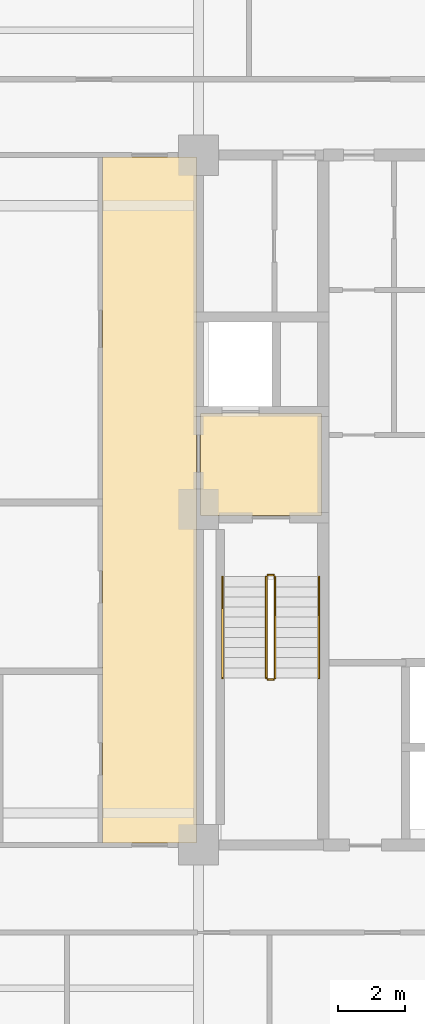
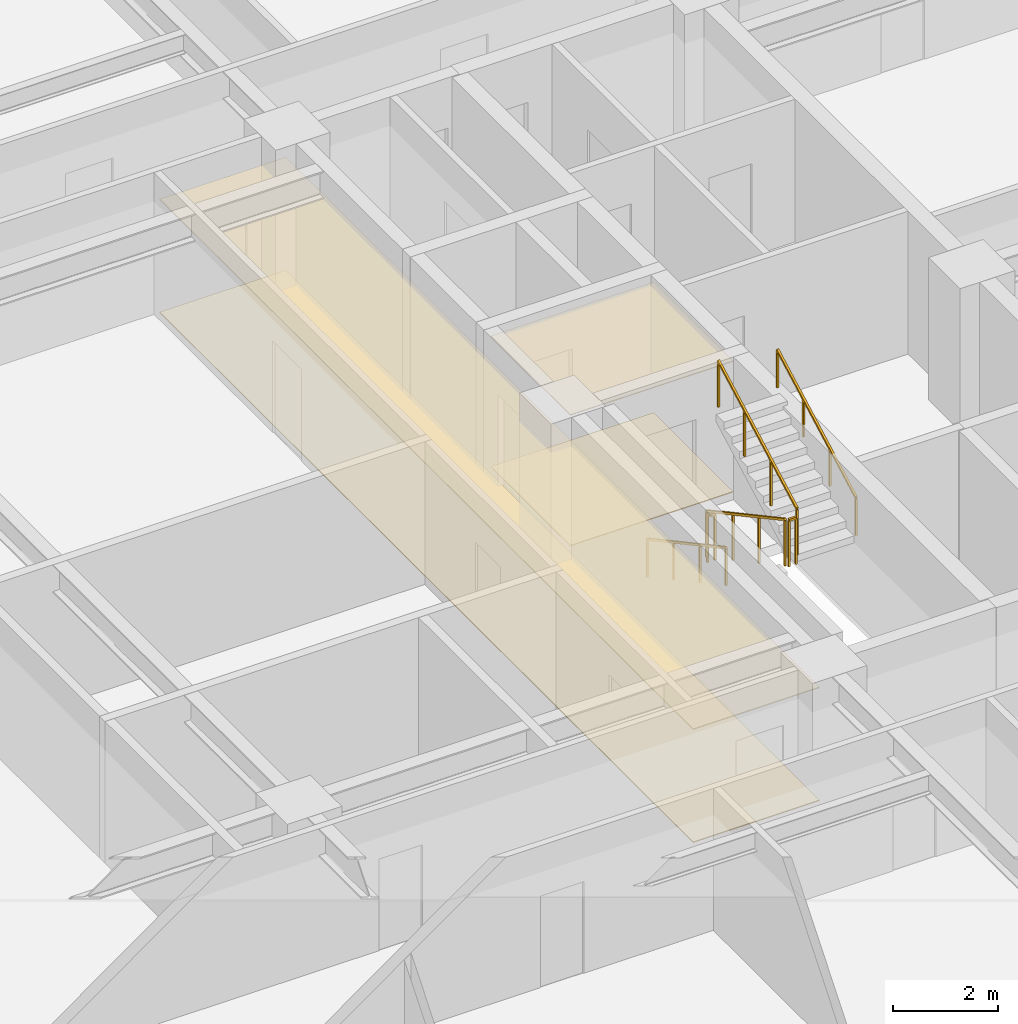
# One storey, part 13 of 15: 6 railings, 4 coverings.
"""IFC4 building model written with IfcOpenShell, lengths in metres."""

from ifc_helpers import new_model, si_unit, direction, frame, origin, origin_2d, place, context, subcontext, project, spatial, polyline, rectangle, outline, extrude, material, layer, layer_set, type_object, element, save


model = new_model("IFC4")

# Units and contexts
model_context = context("Model", 3, precision=1e-05, world=origin(), true_north=direction((0.0, 1.0)))
body_context = subcontext(model_context, "Body", "Model", "MODEL_VIEW")
ifc_project = project(units=[si_unit("LENGTHUNIT", "METRE"), si_unit("AREAUNIT", "SQUARE_METRE"), si_unit("VOLUMEUNIT", "CUBIC_METRE"), si_unit("PLANEANGLEUNIT", "RADIAN"), si_unit("MASSUNIT", "GRAM", prefix="KILO")], contexts=[model_context])

# Site, building, storey
site_placement = place(None, origin())
site = spatial("IfcSite", under=ifc_project, at=site_placement, CompositionType="ELEMENT")
building_placement = place(site_placement, origin())
building = spatial("IfcBuilding", under=site, at=building_placement, Name="Zulmaris Gate Convention Tower", CompositionType="ELEMENT")
storey_placement = place(building_placement, frame((0.0, 0.0, 37.909912109375)))
storey = spatial("IfcBuildingStorey", under=building, at=storey_placement, Name="L08", CompositionType="ELEMENT", Elevation=37.909912109375)

# Coverings
ifc_material_1 = material(Name="Mineral Fibre Acoustic Ceiling Tile")
ifc_layer_1 = layer(ifc_material_1, 0.02001953125, Name="Mineral Fibre Acoustic Ceiling Tile")
ifc_layer_set_1 = layer_set([ifc_layer_1], Name="Mineral Fibre Acoustic Ceiling Tile")
covering_type_1 = type_object("IfcCoveringType", Name="CLG-ACOUSTIC-600", PredefinedType="CEILING", material=ifc_layer_set_1)
covering_1_placement = place(storey_placement, frame((0.0, 0.0, 3.0400390625)))
element("IfcCovering", 1, at=covering_1_placement, inside=storey, type_object=covering_type_1, Name="CLG-L08-R08", PredefinedType="CEILING", context=body_context, shape_type="SweptSolid", body=[
    extrude(outline(polyline([(11.06005859375, -0.18994140625), (14.639892578125, -0.18994140625), (14.639892578125, 2.840087890625), (11.06005859375, 2.840087890625), (11.06005859375, -0.18994140625)])), origin(), (0.0, 0.0, 1.0), 0.02001953125),
])
covering_2_placement = place(storey_placement, frame((0.0, 0.0, 2.628173828125)))
element("IfcCovering", 2, at=covering_2_placement, inside=storey, type_object=covering_type_1, Name="CLG-L08-R34", PredefinedType="CEILING", context=body_context, shape_type="SweptSolid", body=[
    extrude(outline(polyline([(8.159912109375, -9.889892578125), (10.93994140625, -9.889892578125), (10.93994140625, 10.43994140625), (8.159912109375, 10.43994140625), (8.159912109375, -9.889892578125)])), origin(), (0.0, 0.0, 1.0), 0.02001953125),
])
ifc_material_2 = material(Name="Woven Acoustic Wool Carpet Tile")
ifc_layer_2 = layer(ifc_material_2, 0.02001953125, Name="Woven Acoustic Wool Carpet Tile")
ifc_layer_set_2 = layer_set([ifc_layer_2], Name="Woven Acoustic Wool Carpet Tile")
covering_type_2 = type_object("IfcCoveringType", Name="FLR-CARPET-12", PredefinedType="FLOORING", material=ifc_layer_set_2)
covering_3_placement = place(storey_placement, origin())
element("IfcCovering", 3, at=covering_3_placement, inside=storey, type_object=covering_type_2, Name="FLR-L08-R08", PredefinedType="FLOORING", context=body_context, shape_type="SweptSolid", body=[
    extrude(outline(polyline([(11.06005859375, -0.18994140625), (14.639892578125, -0.18994140625), (14.639892578125, 2.840087890625), (11.06005859375, 2.840087890625), (11.06005859375, -0.18994140625)])), origin(), (0.0, 0.0, 1.0), 0.02001953125),
])
covering_4_placement = place(storey_placement, origin())
element("IfcCovering", 4, at=covering_4_placement, inside=storey, type_object=covering_type_2, Name="FLR-L08-R34", PredefinedType="FLOORING", context=body_context, shape_type="SweptSolid", body=[
    extrude(outline(polyline([(8.159912109375, -9.889892578125), (10.93994140625, -9.889892578125), (10.93994140625, 10.43994140625), (8.159912109375, 10.43994140625), (8.159912109375, -9.889892578125)])), origin(), (0.0, 0.0, 1.0), 0.02001953125),
])

# Railings
ifc_material_3 = material(Name="Painted Galvanised Steel", Category="steel")
railing_type_1 = type_object("IfcRailingType", Name="RL-STG-1150", PredefinedType="GUARDRAIL", material=ifc_material_3)
railing_1_placement = place(storey_placement, frame((13.010009765625, -2.0, 0.162353515625)))
element("IfcRailing", 5, at=railing_1_placement, inside=storey, type_object=railing_type_1, Name="L08 ST-2 stair guard 1", PredefinedType="GUARDRAIL", context=body_context, shape_type="SweptSolid", body=[
    extrude(rectangle(XDim=0.048095703125, YDim=0.048095703125, at=origin_2d()), frame((0.0, 0.0, 1.076171875), z_axis=(0.0, -0.8795616155, 0.475784998228), x_axis=(1.0, 0.0, 0.0)), (0.0, 0.0, 1.0), 3.410888671875),
    extrude(rectangle(XDim=0.0419921875, YDim=0.0419921875, at=origin_2d()), origin(), (0.0, 0.0, 1.0), 1.052001953125),
    extrude(rectangle(XDim=0.0419921875, YDim=0.0419921875, at=origin_2d()), frame((0.0, -1.0, 0.541015625)), (0.0, 0.0, 1.0), 1.052001953125),
    extrude(rectangle(XDim=0.0419921875, YDim=0.0419921875, at=origin_2d()), frame((0.0, -2.0, 1.081787109375)), (0.0, 0.0, 1.0), 1.052001953125),
    extrude(rectangle(XDim=0.0419921875, YDim=0.0419921875, at=origin_2d()), frame((0.0, -3.0, 1.622802734375)), (0.0, 0.0, 1.0), 1.052001953125),
])
railing_2_placement = place(storey_placement, frame((13.06005859375, -5.050048828125, 1.78515625)))
element("IfcRailing", 6, at=railing_2_placement, inside=storey, type_object=railing_type_1, Name="L08 ST-2 stair guard 2", PredefinedType="GUARDRAIL", context=body_context, shape_type="SweptSolid", body=[
    extrude(rectangle(XDim=0.048095703125, YDim=0.048095703125, at=origin_2d()), frame((0.0, 0.0, 1.076171875), z_axis=(1.0, 0.0, 0.0), x_axis=(0.0, 1.0, 0.0)), (0.0, 0.0, 1.0), 0.159912109375),
    extrude(rectangle(XDim=0.0419921875, YDim=0.0419921875, at=origin_2d()), origin(), (0.0, 0.0, 1.0), 1.052001953125),
    extrude(rectangle(XDim=0.0419921875, YDim=0.0419921875, at=origin_2d()), frame((0.159912109375, 0.0, 0.0)), (0.0, 0.0, 1.0), 1.052001953125),
])
railing_3_placement = place(storey_placement, frame((13.27001953125, -5.0, 1.947265625)))
element("IfcRailing", 7, at=railing_3_placement, inside=storey, type_object=railing_type_1, Name="L08 ST-2 stair guard 3", PredefinedType="GUARDRAIL", context=body_context, shape_type="SweptSolid", body=[
    extrude(rectangle(XDim=0.048095703125, YDim=0.048095703125, at=origin_2d()), frame((0.0, 0.0, 1.076171875), z_axis=(0.0, 0.8795616155, 0.475784998228), x_axis=(-1.0, 0.0, 0.0)), (0.0, 0.0, 1.0), 3.410888671875),
    extrude(rectangle(XDim=0.0419921875, YDim=0.0419921875, at=origin_2d()), origin(), (0.0, 0.0, 1.0), 1.052001953125),
    extrude(rectangle(XDim=0.0419921875, YDim=0.0419921875, at=origin_2d()), frame((0.0, 1.0, 0.541015625)), (0.0, 0.0, 1.0), 1.052001953125),
    extrude(rectangle(XDim=0.0419921875, YDim=0.0419921875, at=origin_2d()), frame((0.0, 2.0, 1.081787109375)), (0.0, 0.0, 1.0), 1.052001953125),
    extrude(rectangle(XDim=0.0419921875, YDim=0.0419921875, at=origin_2d()), frame((0.0, 3.0, 1.622802734375)), (0.0, 0.0, 1.0), 1.052001953125),
])
railing_4_placement = place(storey_placement, frame((13.06005859375, -1.949951171875, 0.0)))
element("IfcRailing", 8, at=railing_4_placement, inside=storey, type_object=railing_type_1, Name="L08 ST-2 stair guard 4", PredefinedType="GUARDRAIL", context=body_context, shape_type="SweptSolid", body=[
    extrude(rectangle(XDim=0.048095703125, YDim=0.048095703125, at=origin_2d()), frame((0.0, 0.0, 1.076171875), z_axis=(1.0, 0.0, 0.0), x_axis=(0.0, 1.0, 0.0)), (0.0, 0.0, 1.0), 0.159912109375),
    extrude(rectangle(XDim=0.0419921875, YDim=0.0419921875, at=origin_2d()), origin(), (0.0, 0.0, 1.0), 1.052001953125),
    extrude(rectangle(XDim=0.0419921875, YDim=0.0419921875, at=origin_2d()), frame((0.159912109375, 0.0, 0.0)), (0.0, 0.0, 1.0), 1.052001953125),
])
ifc_material_4 = material(Name="Brushed Stainless Steel", Category="steel")
railing_type_2 = type_object("IfcRailingType", Name="RL-STH-900", PredefinedType="HANDRAIL", material=ifc_material_4)
railing_5_placement = place(storey_placement, frame((11.7099609375, -2.0, 0.162353515625)))
element("IfcRailing", 9, at=railing_5_placement, inside=storey, type_object=railing_type_2, Name="L08 ST-2 stair handrail 1", PredefinedType="HANDRAIL", context=body_context, shape_type="SweptSolid", body=[
    extrude(rectangle(XDim=0.048095703125, YDim=0.048095703125, at=origin_2d()), frame((0.0, 0.0, 0.8759765625), z_axis=(0.0, -0.8795616155, 0.475784998228), x_axis=(1.0, 0.0, 0.0)), (0.0, 0.0, 1.0), 3.410888671875),
    extrude(rectangle(XDim=0.0419921875, YDim=0.0419921875, at=origin_2d()), origin(), (0.0, 0.0, 1.0), 0.851806640625),
    extrude(rectangle(XDim=0.0419921875, YDim=0.0419921875, at=origin_2d()), frame((0.0, -1.0, 0.541015625)), (0.0, 0.0, 1.0), 0.851806640625),
    extrude(rectangle(XDim=0.0419921875, YDim=0.0419921875, at=origin_2d()), frame((0.0, -2.0, 1.081787109375)), (0.0, 0.0, 1.0), 0.851806640625),
    extrude(rectangle(XDim=0.0419921875, YDim=0.0419921875, at=origin_2d()), frame((0.0, -3.0, 1.622802734375)), (0.0, 0.0, 1.0), 0.851806640625),
])
railing_6_placement = place(storey_placement, frame((14.570068359375, -5.0, 1.947265625)))
element("IfcRailing", 10, at=railing_6_placement, inside=storey, type_object=railing_type_2, Name="L08 ST-2 stair handrail 2", PredefinedType="HANDRAIL", context=body_context, shape_type="SweptSolid", body=[
    extrude(rectangle(XDim=0.048095703125, YDim=0.048095703125, at=origin_2d()), frame((0.0, 0.0, 0.8759765625), z_axis=(0.0, 0.8795616155, 0.475784998228), x_axis=(-1.0, 0.0, 0.0)), (0.0, 0.0, 1.0), 3.410888671875),
    extrude(rectangle(XDim=0.0419921875, YDim=0.0419921875, at=origin_2d()), origin(), (0.0, 0.0, 1.0), 0.851806640625),
    extrude(rectangle(XDim=0.0419921875, YDim=0.0419921875, at=origin_2d()), frame((0.0, 1.0, 0.541015625)), (0.0, 0.0, 1.0), 0.851806640625),
    extrude(rectangle(XDim=0.0419921875, YDim=0.0419921875, at=origin_2d()), frame((0.0, 2.0, 1.081787109375)), (0.0, 0.0, 1.0), 0.851806640625),
    extrude(rectangle(XDim=0.0419921875, YDim=0.0419921875, at=origin_2d()), frame((0.0, 3.0, 1.622802734375)), (0.0, 0.0, 1.0), 0.851806640625),
])

save(model, "model.ifc")
